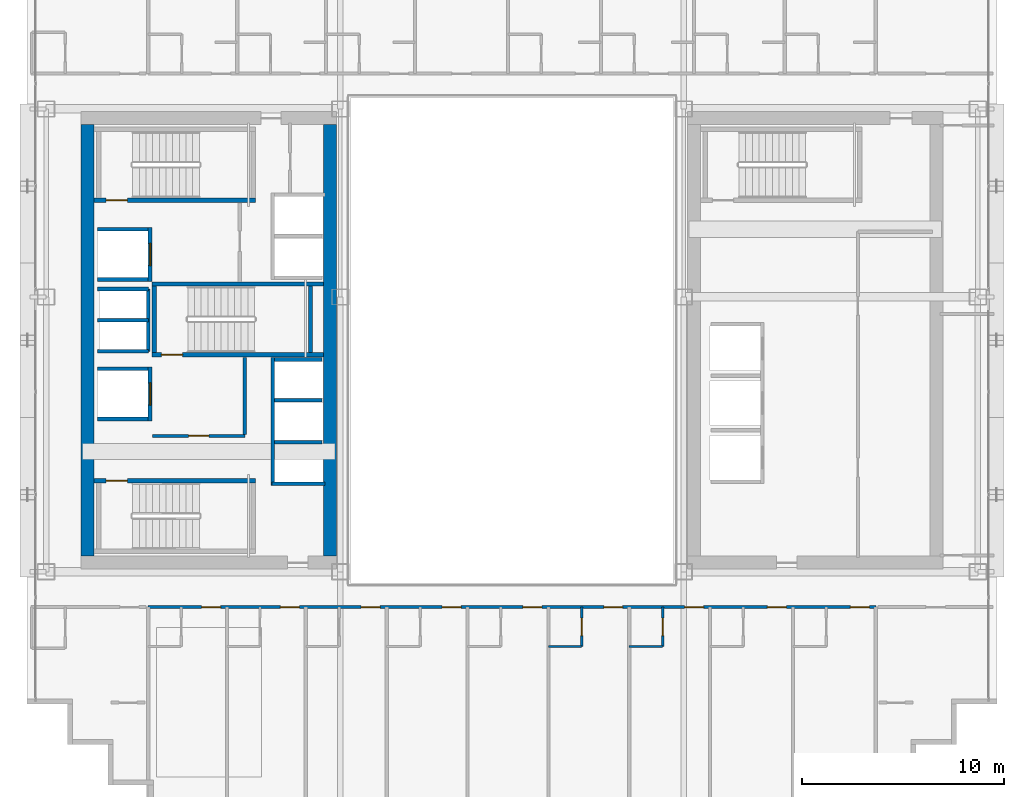
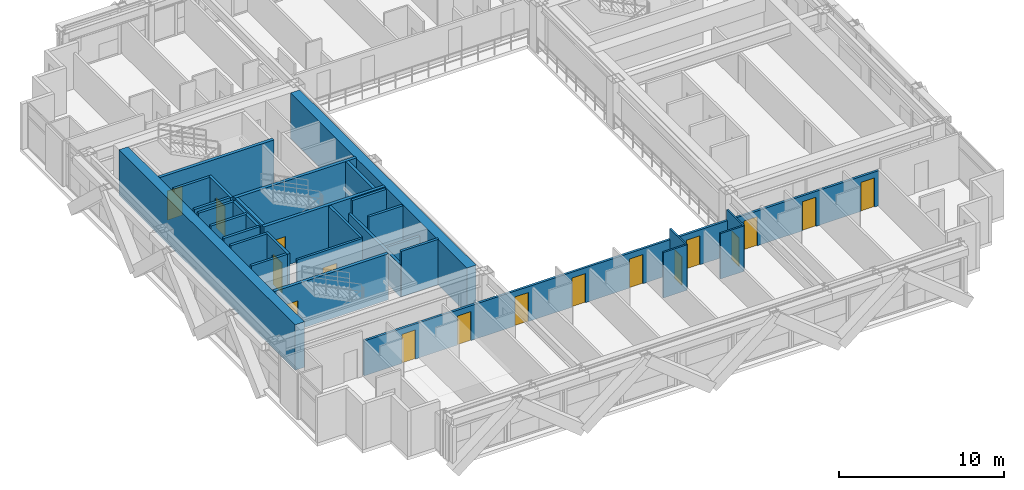
# One storey, part 28 of 36: 30 walls, 17 doors, 17 openings.
"""IFC4 building model written with IfcOpenShell, lengths in metres."""

from ifc_helpers import new_model, si_unit, direction, frame, frame_2d, origin, place, context, subcontext, project, spatial, rectangle, extrude, source, transform, mapped, material, layer, layer_set, type_object, element, fill, save


model = new_model("IFC4")

# Units and contexts
model_context = context("Model", 3, precision=1e-05, world=origin(), true_north=direction((0.0, 1.0)))
body_context = subcontext(model_context, "Body", "Model", "MODEL_VIEW")
ifc_project = project(units=[si_unit("LENGTHUNIT", "METRE"), si_unit("AREAUNIT", "SQUARE_METRE"), si_unit("VOLUMEUNIT", "CUBIC_METRE"), si_unit("PLANEANGLEUNIT", "RADIAN"), si_unit("MASSUNIT", "GRAM", prefix="KILO")], contexts=[model_context])

# Site, building, storey
site_placement = place(None, origin())
site = spatial("IfcSite", under=ifc_project, at=site_placement, CompositionType="ELEMENT")
building_placement = place(site_placement, origin())
building = spatial("IfcBuilding", under=site, at=building_placement, Name="Ocotamira Hotel", CompositionType="ELEMENT")
storey_placement = place(building_placement, frame((0.0, 0.0, 133.199951171875)))
storey = spatial("IfcBuildingStorey", under=building, at=storey_placement, Name="L33", CompositionType="ELEMENT", Elevation=133.199951171875)

# Walls
ifc_material_1 = material(Name="Concrete C60/75", Category="concrete")
ifc_layer_1 = layer(ifc_material_1, 0.64990234375)
ifc_layer_set_1 = layer_set([ifc_layer_1], Name="Concrete C60/75")
wall_type_1 = type_object("IfcWallType", Name="WL-CORE-650", PredefinedType="SHEAR", material=ifc_layer_set_1)
for number, where, z_axis, x_axis, name in (
    (1, (11.0, 15.324951171875, 0.0), (0.0, 0.0, 1.0), (0.0, 1.0, 0.0), "L33 Shear Core Wall WCORE-W"),
    (2, (23.0, 15.324951171875, 0.0), (0.0, 0.0, 1.0), (0.0, 1.0, 0.0), "L33 Shear Core Wall WCORE-E"),
):
    element("IfcWall", number, at=place(storey_placement, frame(where, z_axis=z_axis, x_axis=x_axis)), inside=storey, type_object=wall_type_1, Name=name, PredefinedType="SHEAR", context=body_context, shape_type="SweptSolid", body=[
        extrude(rectangle(XDim=21.35009765625, YDim=0.64990234375, at=frame_2d((10.675048828125, 0.0))), origin(), (0.0, 0.0, 1.0), 3.360107421875),
    ])

# Wall, opening, door
ifc_material_2 = material(Name="Acoustic double-layer fire gypsum board partition", Category="gypsum")
ifc_layer_2 = layer(ifc_material_2, 0.159912109375)
ifc_layer_set_2 = layer_set([ifc_layer_2], Name="Acoustic double-layer fire gypsum board partition")
wall_type_2 = type_object("IfcWallType", Name="WL-FIRE-160", PredefinedType="PARTITIONING", material=ifc_layer_set_2)
wall_1_placement = place(storey_placement, frame((14.199951171875, 21.27001953125, 0.0), z_axis=(0.0, 0.0, 1.0), x_axis=(1.0, 0.0, 0.0)))
wall_1 = element("IfcWall", 3, at=wall_1_placement, inside=storey, type_object=wall_type_2, Name="L33 Interior Wall PW-L33-FSAE1-S", PredefinedType="PARTITIONING", context=body_context, shape_type="SweptSolid", body=[
    extrude(rectangle(XDim=4.580078125, YDim=0.159912109375, at=frame_2d((2.2900390625, 0.0))), origin(), (0.0, 0.0, 1.0), 3.360107421875),
])
opening_1_placement = place(wall_1_placement, frame((1.800048828125, 0.0, 0.0)))
opening_1 = element("IfcOpeningElement", 4, at=opening_1_placement, cuts=wall_1, Name="Opening D-FR2", PredefinedType="OPENING", context=body_context, shape_type="SweptSolid", body=[
    extrude(rectangle(XDim=1.0, YDim=2.14990234375, at=frame_2d((0.5, 1.074951171875))), frame((0.0, 0.08984375, 0.0), z_axis=(0.0, -1.0, 0.0), x_axis=(1.0, 0.0, 0.0)), (0.0, 0.0, 1.0), 0.179931640625),
])
ifc_material_3 = material(Name="Fire-rated acoustic timber-veneer door", Category="wood")
door_type_1 = type_object("IfcDoorType", Name="DR-FIRE-1000", OperationType="NOTDEFINED", PredefinedType="DOOR", material=ifc_material_3)
shared_shape_1 = source(origin(), body_context, "Body", "SweptSolid", [
    extrude(rectangle(XDim=1.0, YDim=2.14990234375, at=frame_2d((0.5, 1.074951171875))), frame((0.0, 0.02490234375, 0.0), z_axis=(0.0, -1.0, 0.0), x_axis=(1.0, 0.0, 0.0)), (0.0, 0.0, 1.0), 0.050048828125),
])
door_1_placement = place(opening_1_placement, origin())
door_1 = element("IfcDoor", 5, at=door_1_placement, inside=storey, type_object=door_type_1, Name="L33 Door ID-L33-FSAE1-D [ID-L33-FSAE1-D]", OperationType="SINGLE_SWING_LEFT", OverallHeight=2.14990234375, OverallWidth=1.0, PredefinedType="DOOR", context=body_context, shape_type="MappedRepresentation", body=[
    mapped(shared_shape_1, transform((0.0, 0.0, 0.0), scale=1.0)),
])
fill(opening_1, door_1)

# Wall
wall_2_placement = place(storey_placement, frame((18.780029296875, 21.35009765625, 0.0), z_axis=(0.0, 0.0, 1.0), x_axis=(0.0, 1.0, 0.0)))
element("IfcWall", 6, at=wall_2_placement, inside=storey, type_object=wall_type_2, Name="L33 Interior Wall PW-L33-FSAE1-E", PredefinedType="PARTITIONING", context=body_context, shape_type="SweptSolid", body=[
    extrude(rectangle(XDim=3.809814453125, YDim=0.159912109375, at=frame_2d((1.90478515625, 0.0))), origin(), (0.0, 0.0, 1.0), 3.360107421875),
])

# Wall, openings, doors
wall_3_placement = place(storey_placement, frame((14.0, 12.800048828125, 0.0), z_axis=(0.0, 0.0, 1.0), x_axis=(1.0, 0.0, 0.0)))
wall_3 = element("IfcWall", 7, at=wall_3_placement, inside=storey, type_object=wall_type_2, Name="L33 Interior Wall PW-L33-Z2DS-CORRW", PredefinedType="PARTITIONING", context=body_context, shape_type="SweptSolid", body=[
    extrude(rectangle(XDim=36.0, YDim=0.159912109375, at=frame_2d((18.0, 0.0))), origin(), (0.0, 0.0, 1.0), 2.5810546875),
])
opening_2_placement = place(wall_3_placement, frame((2.639892578125, 0.0, 0.0)))
opening_2 = element("IfcOpeningElement", 8, at=opening_2_placement, cuts=wall_3, Name="Opening D-GR1", PredefinedType="OPENING", context=body_context, shape_type="SweptSolid", body=[
    extrude(rectangle(XDim=0.93994140625, YDim=2.14990234375, at=frame_2d((0.469970703125, 1.074951171875))), frame((0.0, 0.08984375, 0.0), z_axis=(0.0, -1.0, 0.0), x_axis=(1.0, 0.0, 0.0)), (0.0, 0.0, 1.0), 0.179931640625),
])
opening_3_placement = place(wall_3_placement, frame((6.5400390625, 0.0, 0.0)))
opening_3 = element("IfcOpeningElement", 9, at=opening_3_placement, cuts=wall_3, Name="Opening D-GR1", PredefinedType="OPENING", context=body_context, shape_type="SweptSolid", body=[
    extrude(rectangle(XDim=0.93994140625, YDim=2.14990234375, at=frame_2d((0.469970703125, 1.074951171875))), frame((0.0, 0.08984375, 0.0), z_axis=(0.0, -1.0, 0.0), x_axis=(1.0, 0.0, 0.0)), (0.0, 0.0, 1.0), 0.179931640625),
])
opening_4_placement = place(wall_3_placement, frame((10.5400390625, 0.0, 0.0)))
opening_4 = element("IfcOpeningElement", 10, at=opening_4_placement, cuts=wall_3, Name="Opening D-GR1", PredefinedType="OPENING", context=body_context, shape_type="SweptSolid", body=[
    extrude(rectangle(XDim=0.93994140625, YDim=2.14990234375, at=frame_2d((0.469970703125, 1.074951171875))), frame((0.0, 0.08984375, 0.0), z_axis=(0.0, -1.0, 0.0), x_axis=(1.0, 0.0, 0.0)), (0.0, 0.0, 1.0), 0.179931640625),
])
opening_5_placement = place(wall_3_placement, frame((14.5400390625, 0.0, 0.0)))
opening_5 = element("IfcOpeningElement", 11, at=opening_5_placement, cuts=wall_3, Name="Opening D-GR1", PredefinedType="OPENING", context=body_context, shape_type="SweptSolid", body=[
    extrude(rectangle(XDim=0.93994140625, YDim=2.14990234375, at=frame_2d((0.469970703125, 1.074951171875))), frame((0.0, 0.08984375, 0.0), z_axis=(0.0, -1.0, 0.0), x_axis=(1.0, 0.0, 0.0)), (0.0, 0.0, 1.0), 0.179931640625),
])
opening_6_placement = place(wall_3_placement, frame((18.5400390625, 0.0, 0.0)))
opening_6 = element("IfcOpeningElement", 12, at=opening_6_placement, cuts=wall_3, Name="Opening D-GR1", PredefinedType="OPENING", context=body_context, shape_type="SweptSolid", body=[
    extrude(rectangle(XDim=0.93994140625, YDim=2.14990234375, at=frame_2d((0.469970703125, 1.074951171875))), frame((0.0, 0.08984375, 0.0), z_axis=(0.0, -1.0, 0.0), x_axis=(1.0, 0.0, 0.0)), (0.0, 0.0, 1.0), 0.179931640625),
])
opening_7_placement = place(wall_3_placement, frame((22.5400390625, 0.0, 0.0)))
opening_7 = element("IfcOpeningElement", 13, at=opening_7_placement, cuts=wall_3, Name="Opening D-GR1", PredefinedType="OPENING", context=body_context, shape_type="SweptSolid", body=[
    extrude(rectangle(XDim=0.93994140625, YDim=2.14990234375, at=frame_2d((0.469970703125, 1.074951171875))), frame((0.0, 0.08984375, 0.0), z_axis=(0.0, -1.0, 0.0), x_axis=(1.0, 0.0, 0.0)), (0.0, 0.0, 1.0), 0.179931640625),
])
opening_8_placement = place(wall_3_placement, frame((26.5400390625, 0.0, 0.0)))
opening_8 = element("IfcOpeningElement", 14, at=opening_8_placement, cuts=wall_3, Name="Opening D-GR1", PredefinedType="OPENING", context=body_context, shape_type="SweptSolid", body=[
    extrude(rectangle(XDim=0.93994140625, YDim=2.14990234375, at=frame_2d((0.469970703125, 1.074951171875))), frame((0.0, 0.08984375, 0.0), z_axis=(0.0, -1.0, 0.0), x_axis=(1.0, 0.0, 0.0)), (0.0, 0.0, 1.0), 0.179931640625),
])
opening_9_placement = place(wall_3_placement, frame((30.639892578125, 0.0, 0.0)))
opening_9 = element("IfcOpeningElement", 15, at=opening_9_placement, cuts=wall_3, Name="Opening D-GR1", PredefinedType="OPENING", context=body_context, shape_type="SweptSolid", body=[
    extrude(rectangle(XDim=0.93994140625, YDim=2.14990234375, at=frame_2d((0.469970703125, 1.074951171875))), frame((0.0, 0.08984375, 0.0), z_axis=(0.0, -1.0, 0.0), x_axis=(1.0, 0.0, 0.0)), (0.0, 0.0, 1.0), 0.179931640625),
])
opening_10_placement = place(wall_3_placement, frame((34.739990234375, 0.0, 0.0)))
opening_10 = element("IfcOpeningElement", 16, at=opening_10_placement, cuts=wall_3, Name="Opening D-GR1", PredefinedType="OPENING", context=body_context, shape_type="SweptSolid", body=[
    extrude(rectangle(XDim=0.93994140625, YDim=2.14990234375, at=frame_2d((0.469970703125, 1.074951171875))), frame((0.0, 0.08984375, 0.0), z_axis=(0.0, -1.0, 0.0), x_axis=(1.0, 0.0, 0.0)), (0.0, 0.0, 1.0), 0.179931640625),
])
ifc_material_4 = material(Name="Solid-core walnut suite entrance fire door", Category="wood")
door_type_2 = type_object("IfcDoorType", Name="DR-GUEST-940", OperationType="NOTDEFINED", PredefinedType="DOOR", material=ifc_material_4)
shared_shape_2 = source(origin(), body_context, "Body", "SweptSolid", [
    extrude(rectangle(XDim=0.93994140625, YDim=2.14990234375, at=frame_2d((0.469970703125, 1.074951171875))), frame((0.0, 0.02490234375, 0.0), z_axis=(0.0, -1.0, 0.0), x_axis=(1.0, 0.0, 0.0)), (0.0, 0.0, 1.0), 0.050048828125),
])
door_2_placement = place(opening_2_placement, origin())
door_2 = element("IfcDoor", 17, at=door_2_placement, inside=storey, type_object=door_type_2, Name="L33 Door ID-L33-Z2DS-RMD1 [ID-L33-Z2DS-RMD1]", OperationType="SINGLE_SWING_LEFT", OverallHeight=2.14990234375, OverallWidth=0.93994140625, PredefinedType="DOOR", context=body_context, shape_type="MappedRepresentation", body=[
    mapped(shared_shape_2, transform((0.0, 0.0, 0.0), scale=1.0)),
])
fill(opening_2, door_2)
door_3_placement = place(opening_3_placement, origin())
door_3 = element("IfcDoor", 18, at=door_3_placement, inside=storey, type_object=door_type_2, Name="L33 Door ID-L33-Z2DS-RMD2 [ID-L33-Z2DS-RMD2]", OperationType="SINGLE_SWING_RIGHT", OverallHeight=2.14990234375, OverallWidth=0.93994140625, PredefinedType="DOOR", context=body_context, shape_type="MappedRepresentation", body=[
    mapped(shared_shape_2, transform((0.0, 0.0, 0.0), scale=1.0)),
])
fill(opening_3, door_3)
door_4_placement = place(opening_4_placement, origin())
door_4 = element("IfcDoor", 19, at=door_4_placement, inside=storey, type_object=door_type_2, Name="L33 Door ID-L33-Z2DS-RMD3 [ID-L33-Z2DS-RMD3]", OperationType="SINGLE_SWING_LEFT", OverallHeight=2.14990234375, OverallWidth=0.93994140625, PredefinedType="DOOR", context=body_context, shape_type="MappedRepresentation", body=[
    mapped(shared_shape_2, transform((0.0, 0.0, 0.0), scale=1.0)),
])
fill(opening_4, door_4)
door_5_placement = place(opening_5_placement, origin())
door_5 = element("IfcDoor", 20, at=door_5_placement, inside=storey, type_object=door_type_2, Name="L33 Door ID-L33-Z2DS-RMD4 [ID-L33-Z2DS-RMD4]", OperationType="SINGLE_SWING_RIGHT", OverallHeight=2.14990234375, OverallWidth=0.93994140625, PredefinedType="DOOR", context=body_context, shape_type="MappedRepresentation", body=[
    mapped(shared_shape_2, transform((0.0, 0.0, 0.0), scale=1.0)),
])
fill(opening_5, door_5)
door_6_placement = place(opening_6_placement, origin())
door_6 = element("IfcDoor", 21, at=door_6_placement, inside=storey, type_object=door_type_2, Name="L33 Door ID-L33-Z2DS-RMD5 [ID-L33-Z2DS-RMD5]", OperationType="SINGLE_SWING_LEFT", OverallHeight=2.14990234375, OverallWidth=0.93994140625, PredefinedType="DOOR", context=body_context, shape_type="MappedRepresentation", body=[
    mapped(shared_shape_2, transform((0.0, 0.0, 0.0), scale=1.0)),
])
fill(opening_6, door_6)
door_7_placement = place(opening_7_placement, origin())
door_7 = element("IfcDoor", 22, at=door_7_placement, inside=storey, type_object=door_type_2, Name="L33 Door ID-L33-Z2DS-RMD6 [ID-L33-Z2DS-RMD6]", OperationType="SINGLE_SWING_RIGHT", OverallHeight=2.14990234375, OverallWidth=0.93994140625, PredefinedType="DOOR", context=body_context, shape_type="MappedRepresentation", body=[
    mapped(shared_shape_2, transform((0.0, 0.0, 0.0), scale=1.0)),
])
fill(opening_7, door_7)
door_8_placement = place(opening_8_placement, origin())
door_8 = element("IfcDoor", 23, at=door_8_placement, inside=storey, type_object=door_type_2, Name="L33 Door ID-L33-Z2DS-RMD7 [ID-L33-Z2DS-RMD7]", OperationType="SINGLE_SWING_LEFT", OverallHeight=2.14990234375, OverallWidth=0.93994140625, PredefinedType="DOOR", context=body_context, shape_type="MappedRepresentation", body=[
    mapped(shared_shape_2, transform((0.0, 0.0, 0.0), scale=1.0)),
])
fill(opening_8, door_8)
door_9_placement = place(opening_9_placement, origin())
door_9 = element("IfcDoor", 24, at=door_9_placement, inside=storey, type_object=door_type_2, Name="L33 Door ID-L33-Z2DS-RMD8 [ID-L33-Z2DS-RMD8]", OperationType="SINGLE_SWING_RIGHT", OverallHeight=2.14990234375, OverallWidth=0.93994140625, PredefinedType="DOOR", context=body_context, shape_type="MappedRepresentation", body=[
    mapped(shared_shape_2, transform((0.0, 0.0, 0.0), scale=1.0)),
])
fill(opening_9, door_9)
door_10_placement = place(opening_10_placement, origin())
door_10 = element("IfcDoor", 25, at=door_10_placement, inside=storey, type_object=door_type_2, Name="L33 Door ID-L33-Z2DS-RMD9 [ID-L33-Z2DS-RMD9]", OperationType="SINGLE_SWING_LEFT", OverallHeight=2.14990234375, OverallWidth=0.93994140625, PredefinedType="DOOR", context=body_context, shape_type="MappedRepresentation", body=[
    mapped(shared_shape_2, transform((0.0, 0.0, 0.0), scale=1.0)),
])
fill(opening_10, door_10)

# Wall, opening, door
ifc_material_5 = material(Name="Moisture-resistant en-suite tile and gypsum partition", Category="gypsum")
ifc_layer_3 = layer(ifc_material_5, 0.1201171875)
ifc_layer_set_3 = layer_set([ifc_layer_3], Name="Moisture-resistant en-suite tile and gypsum partition")
wall_type_3 = type_object("IfcWallType", Name="WL-PART-120", PredefinedType="PARTITIONING", material=ifc_layer_set_3)
wall_4_placement = place(storey_placement, frame((35.449951171875, 10.85009765625, 0.0), z_axis=(0.0, 0.0, 1.0), x_axis=(0.0, 1.0, 0.0)))
wall_4 = element("IfcWall", 26, at=wall_4_placement, inside=storey, type_object=wall_type_3, Name="L33 Interior Wall PW-L33-Z2DS-BAE6", PredefinedType="PARTITIONING", context=body_context, shape_type="SweptSolid", body=[
    extrude(rectangle(XDim=1.949951171875, YDim=0.1201171875, at=frame_2d((0.97509765625, 0.0))), origin(), (0.0, 0.0, 1.0), 3.360107421875),
])
opening_11_placement = place(wall_4_placement, frame((0.544921875, 0.0, 0.0)))
opening_11 = element("IfcOpeningElement", 27, at=opening_11_placement, cuts=wall_4, Name="Opening D-BA1", PredefinedType="OPENING", context=body_context, shape_type="SweptSolid", body=[
    extrude(rectangle(XDim=0.860107421875, YDim=2.10009765625, at=frame_2d((0.43017578125, 1.050048828125))), frame((0.0, 0.070068359375, 0.0), z_axis=(0.0, -1.0, 0.0), x_axis=(1.0, 0.0, 0.0)), (0.0, 0.0, 1.0), 0.14013671875),
])
ifc_material_6 = material(Name="Moisture-sealed en-suite timber door", Category="wood")
door_type_3 = type_object("IfcDoorType", Name="DR-BATH-860", OperationType="NOTDEFINED", PredefinedType="DOOR", material=ifc_material_6)
shared_shape_3 = source(origin(), body_context, "Body", "SweptSolid", [
    extrude(rectangle(XDim=0.860107421875, YDim=2.10009765625, at=frame_2d((0.43017578125, 1.050048828125))), frame((0.0, 0.02490234375, 0.0), z_axis=(0.0, -1.0, 0.0), x_axis=(1.0, 0.0, 0.0)), (0.0, 0.0, 1.0), 0.050048828125),
])
door_11_placement = place(opening_11_placement, origin())
door_11 = element("IfcDoor", 28, at=door_11_placement, inside=storey, type_object=door_type_3, Name="L33 Door ID-L33-Z2DS-BAD6 [ID-L33-Z2DS-BAD6]", OperationType="SINGLE_SWING_LEFT", OverallHeight=2.10009765625, OverallWidth=0.860107421875, PredefinedType="DOOR", context=body_context, shape_type="MappedRepresentation", body=[
    mapped(shared_shape_3, transform((0.0, 0.0, 0.0), scale=1.0)),
])
fill(opening_11, door_11)

# Wall
wall_5_placement = place(storey_placement, frame((33.800048828125, 10.85009765625, 0.0), z_axis=(0.0, 0.0, 1.0), x_axis=(1.0, 0.0, 0.0)))
element("IfcWall", 29, at=wall_5_placement, inside=storey, type_object=wall_type_3, Name="L33 Interior Wall PW-L33-Z2DS-BAS6", PredefinedType="PARTITIONING", context=body_context, shape_type="SweptSolid", body=[
    extrude(rectangle(XDim=1.64990234375, YDim=0.1201171875, at=frame_2d((0.824951171875, 0.0))), origin(), (0.0, 0.0, 1.0), 3.360107421875),
])

# Wall, opening, door
wall_6_placement = place(storey_placement, frame((39.449951171875, 10.85009765625, 0.0), z_axis=(0.0, 0.0, 1.0), x_axis=(0.0, 1.0, 0.0)))
wall_6 = element("IfcWall", 30, at=wall_6_placement, inside=storey, type_object=wall_type_3, Name="L33 Interior Wall PW-L33-Z2DS-BAE7", PredefinedType="PARTITIONING", context=body_context, shape_type="SweptSolid", body=[
    extrude(rectangle(XDim=1.949951171875, YDim=0.1201171875, at=frame_2d((0.97509765625, 0.0))), origin(), (0.0, 0.0, 1.0), 3.360107421875),
])
opening_12_placement = place(wall_6_placement, frame((0.544921875, 0.0, 0.0)))
opening_12 = element("IfcOpeningElement", 31, at=opening_12_placement, cuts=wall_6, Name="Opening D-BA1", PredefinedType="OPENING", context=body_context, shape_type="SweptSolid", body=[
    extrude(rectangle(XDim=0.860107421875, YDim=2.10009765625, at=frame_2d((0.43017578125, 1.050048828125))), frame((0.0, 0.070068359375, 0.0), z_axis=(0.0, -1.0, 0.0), x_axis=(1.0, 0.0, 0.0)), (0.0, 0.0, 1.0), 0.14013671875),
])
door_12_placement = place(opening_12_placement, origin())
door_12 = element("IfcDoor", 32, at=door_12_placement, inside=storey, type_object=door_type_3, Name="L33 Door ID-L33-Z2DS-BAD7 [ID-L33-Z2DS-BAD7]", OperationType="SINGLE_SWING_RIGHT", OverallHeight=2.10009765625, OverallWidth=0.860107421875, PredefinedType="DOOR", context=body_context, shape_type="MappedRepresentation", body=[
    mapped(shared_shape_3, transform((0.0, 0.0, 0.0), scale=1.0)),
])
fill(opening_12, door_12)

# Walls
wall_7_placement = place(storey_placement, frame((37.800048828125, 10.85009765625, 0.0), z_axis=(0.0, 0.0, 1.0), x_axis=(1.0, 0.0, 0.0)))
element("IfcWall", 33, at=wall_7_placement, inside=storey, type_object=wall_type_3, Name="L33 Interior Wall PW-L33-Z2DS-BAS7", PredefinedType="PARTITIONING", context=body_context, shape_type="SweptSolid", body=[
    extrude(rectangle(XDim=1.64990234375, YDim=0.1201171875, at=frame_2d((0.824951171875, 0.0))), origin(), (0.0, 0.0, 1.0), 3.360107421875),
])
ifc_material_7 = material(Name="Fire-rated gypsum shaftliner board assembly", Category="gypsum")
ifc_layer_4 = layer(ifc_material_7, 0.179931640625)
ifc_layer_set_4 = layer_set([ifc_layer_4], Name="Fire-rated gypsum shaftliner board assembly")
wall_type_4 = type_object("IfcWallType", Name="WL-SHAFT-180", PredefinedType="SOLIDWALL", material=ifc_layer_set_4)
wall_8_placement = place(storey_placement, frame((20.159912109375, 18.820068359375, 0.0), z_axis=(0.0, 0.0, 1.0), x_axis=(0.0, 1.0, 0.0)))
element("IfcWall", 34, at=wall_8_placement, inside=storey, type_object=wall_type_4, Name="L33 Interior Wall PW-L33-LFW-BANK-high-F", PredefinedType="SOLIDWALL", context=body_context, shape_type="SweptSolid", body=[
    extrude(rectangle(XDim=6.31982421875, YDim=0.179931640625, at=frame_2d((3.159912109375, 0.0))), origin(), (0.0, 0.0, 1.0), 2.360107421875),
])
wall_9_placement = place(storey_placement, frame((20.1201171875, 18.909912109375, 0.0), z_axis=(0.0, 0.0, 1.0), x_axis=(1.0, 0.0, 0.0)))
element("IfcWall", 35, at=wall_9_placement, inside=storey, type_object=wall_type_4, Name="L33 Interior Wall PW-L33-LFW-BANK-high-S", PredefinedType="SOLIDWALL", context=body_context, shape_type="SweptSolid", body=[
    extrude(rectangle(XDim=2.6298828125, YDim=0.179931640625, at=frame_2d((1.31494140625, 0.0))), origin(), (0.0, 0.0, 1.0), 3.360107421875),
])
wall_10_placement = place(storey_placement, frame((20.25, 25.050048828125, 0.0), z_axis=(0.0, 0.0, 1.0), x_axis=(1.0, 0.0, 0.0)))
element("IfcWall", 36, at=wall_10_placement, inside=storey, type_object=wall_type_4, Name="L33 Interior Wall PW-L33-LFW-BANK-high-N", PredefinedType="SOLIDWALL", context=body_context, shape_type="SweptSolid", body=[
    extrude(rectangle(XDim=2.360107421875, YDim=0.179931640625, at=frame_2d((1.18017578125, 0.0))), origin(), (0.0, 0.0, 1.0), 3.360107421875),
])
wall_11_placement = place(storey_placement, frame((20.25, 20.965087890625, 0.0), z_axis=(0.0, 0.0, 1.0), x_axis=(1.0, 0.0, 0.0)))
element("IfcWall", 37, at=wall_11_placement, inside=storey, type_object=wall_type_4, Name="L33 Interior Wall PW-L33-LFW-DIV-LF-P7", PredefinedType="SOLIDWALL", context=body_context, shape_type="SweptSolid", body=[
    extrude(rectangle(XDim=2.360107421875, YDim=0.179931640625, at=frame_2d((1.18017578125, 0.0))), origin(), (0.0, 0.0, 1.0), 2.360107421875),
])
wall_12_placement = place(storey_placement, frame((20.25, 23.044921875, 0.0), z_axis=(0.0, 0.0, 1.0), x_axis=(1.0, 0.0, 0.0)))
element("IfcWall", 38, at=wall_12_placement, inside=storey, type_object=wall_type_4, Name="L33 Interior Wall PW-L33-LFW-DIV-LF-P8", PredefinedType="SOLIDWALL", context=body_context, shape_type="SweptSolid", body=[
    extrude(rectangle(XDim=2.360107421875, YDim=0.179931640625, at=frame_2d((1.18017578125, 0.0))), origin(), (0.0, 0.0, 1.0), 3.360107421875),
])
for number, where, z_axis, x_axis, name in (
    (39, (11.5, 22.110107421875, 0.0), (0.0, 0.0, 1.0), (1.0, 0.0, 0.0), "L33 Interior Wall PW-L33-LFW-LF-FSAE1-S"),
    (40, (11.5, 24.590087890625, 0.0), (0.0, 0.0, 1.0), (1.0, 0.0, 0.0), "L33 Interior Wall PW-L33-LFW-LF-FSAE1-N"),
):
    element("IfcWall", number, at=place(storey_placement, frame(where, z_axis=z_axis, x_axis=x_axis)), inside=storey, type_object=wall_type_4, Name=name, PredefinedType="SOLIDWALL", context=body_context, shape_type="SweptSolid", body=[
        extrude(rectangle(XDim=2.5, YDim=0.179931640625, at=frame_2d((1.25, 0.0))), origin(), (0.0, 0.0, 1.0), 3.360107421875),
    ])

# Wall, opening, door
wall_13_placement = place(storey_placement, frame((14.090087890625, 22.02001953125, 0.0), z_axis=(0.0, 0.0, 1.0), x_axis=(0.0, 1.0, 0.0)))
wall_13 = element("IfcWall", 41, at=wall_13_placement, inside=storey, type_object=wall_type_4, Name="L33 Interior Wall PW-L33-LFW-LF-FSAE1-E", PredefinedType="SOLIDWALL", context=body_context, shape_type="SweptSolid", body=[
    extrude(rectangle(XDim=2.659912109375, YDim=0.179931640625, at=frame_2d((1.330078125, 0.0))), origin(), (0.0, 0.0, 1.0), 3.360107421875),
])
opening_13_placement = place(wall_13_placement, frame((0.780029296875, 0.0, 0.0)))
opening_13 = element("IfcOpeningElement", 42, at=opening_13_placement, cuts=wall_13, Name="Opening LD-LF-FSAE1", PredefinedType="OPENING", context=body_context, shape_type="SweptSolid", body=[
    extrude(rectangle(XDim=1.10009765625, YDim=2.199951171875, at=frame_2d((0.550048828125, 1.10009765625))), frame((0.0, 0.10009765625, 0.0), z_axis=(0.0, -1.0, 0.0), x_axis=(1.0, 0.0, 0.0)), (0.0, 0.0, 1.0), 0.199951171875),
])
ifc_material_8 = material(Name="Brushed pale-metal stainless elevator landing door", Category="steel")
door_type_4 = type_object("IfcDoorType", Name="DR-LIFT-1100", OperationType="NOTDEFINED", PredefinedType="DOOR", material=ifc_material_8)
shared_shape_4 = source(origin(), body_context, "Body", "SweptSolid", [
    extrude(rectangle(XDim=1.10009765625, YDim=2.199951171875, at=frame_2d((0.550048828125, 1.10009765625))), frame((0.0, 0.02490234375, 0.0), z_axis=(0.0, -1.0, 0.0), x_axis=(1.0, 0.0, 0.0)), (0.0, 0.0, 1.0), 0.050048828125),
])
door_13_placement = place(opening_13_placement, origin())
door_13 = element("IfcDoor", 43, at=door_13_placement, inside=storey, type_object=door_type_4, Name="L33 Landing Door LD-LF-FSAE1 [ID-L33-LD-LF-FSAE1]", OperationType="DOUBLE_DOOR_SLIDING", OverallHeight=2.199951171875, OverallWidth=1.10009765625, PredefinedType="DOOR", context=body_context, shape_type="MappedRepresentation", body=[
    mapped(shared_shape_4, transform((0.0, 0.0, 0.0), scale=1.0)),
])
fill(opening_13, door_13)

# Walls
for number, where, z_axis, x_axis, name in (
    (44, (11.5, 29.010009765625, 0.0), (0.0, 0.0, 1.0), (1.0, 0.0, 0.0), "L33 Interior Wall PW-L33-LFW-LF-FSAE2-S"),
    (45, (11.5, 31.489990234375, 0.0), (0.0, 0.0, 1.0), (1.0, 0.0, 0.0), "L33 Interior Wall PW-L33-LFW-LF-FSAE2-N"),
):
    element("IfcWall", number, at=place(storey_placement, frame(where, z_axis=z_axis, x_axis=x_axis)), inside=storey, type_object=wall_type_4, Name=name, PredefinedType="SOLIDWALL", context=body_context, shape_type="SweptSolid", body=[
        extrude(rectangle(XDim=2.5, YDim=0.179931640625, at=frame_2d((1.25, 0.0))), origin(), (0.0, 0.0, 1.0), 3.360107421875),
    ])

# Wall, opening, door
wall_14_placement = place(storey_placement, frame((14.090087890625, 28.919921875, 0.0), z_axis=(0.0, 0.0, 1.0), x_axis=(0.0, 1.0, 0.0)))
wall_14 = element("IfcWall", 46, at=wall_14_placement, inside=storey, type_object=wall_type_4, Name="L33 Interior Wall PW-L33-LFW-LF-FSAE2-E", PredefinedType="SOLIDWALL", context=body_context, shape_type="SweptSolid", body=[
    extrude(rectangle(XDim=2.66015625, YDim=0.179931640625, at=frame_2d((1.330078125, 0.0))), origin(), (0.0, 0.0, 1.0), 3.360107421875),
])
opening_14_placement = place(wall_14_placement, frame((0.780029296875, 0.0, 0.0)))
opening_14 = element("IfcOpeningElement", 47, at=opening_14_placement, cuts=wall_14, Name="Opening LD-LF-FSAE2", PredefinedType="OPENING", context=body_context, shape_type="SweptSolid", body=[
    extrude(rectangle(XDim=1.10009765625, YDim=2.199951171875, at=frame_2d((0.550048828125, 1.10009765625))), frame((0.0, 0.10009765625, 0.0), z_axis=(0.0, -1.0, 0.0), x_axis=(1.0, 0.0, 0.0)), (0.0, 0.0, 1.0), 0.199951171875),
])
door_14_placement = place(opening_14_placement, origin())
door_14 = element("IfcDoor", 48, at=door_14_placement, inside=storey, type_object=door_type_4, Name="L33 Landing Door LD-LF-FSAE2 [ID-L33-LD-LF-FSAE2]", OperationType="DOUBLE_DOOR_SLIDING", OverallHeight=2.199951171875, OverallWidth=1.10009765625, PredefinedType="DOOR", context=body_context, shape_type="MappedRepresentation", body=[
    mapped(shared_shape_4, transform((0.0, 0.0, 0.0), scale=1.0)),
])
fill(opening_14, door_14)

# Walls
for number, where, z_axis, x_axis, name in (
    (49, (11.5, 25.4599609375, 0.0), (0.0, 0.0, 1.0), (1.0, 0.0, 0.0), "L33 Interior Wall PW-L33-RSW-S"),
    (50, (11.5, 27.0, 0.0), (0.0, 0.0, 1.0), (1.0, 0.0, 0.0), "L33 Interior Wall PW-L33-RSW-MID"),
    (51, (11.5, 28.5400390625, 0.0), (0.0, 0.0, 1.0), (1.0, 0.0, 0.0), "L33 Interior Wall PW-L33-RSW-N"),
):
    element("IfcWall", number, at=place(storey_placement, frame(where, z_axis=z_axis, x_axis=x_axis)), inside=storey, type_object=wall_type_4, Name=name, PredefinedType="SOLIDWALL", context=body_context, shape_type="SweptSolid", body=[
        extrude(rectangle(XDim=2.510009765625, YDim=0.179931640625, at=frame_2d((1.2548828125, 0.0))), origin(), (0.0, 0.0, 1.0), 3.360107421875),
    ])
wall_15_placement = place(storey_placement, frame((14.010009765625, 25.4599609375, 0.0), z_axis=(0.0, 0.0, 1.0), x_axis=(0.0, 1.0, 0.0)))
element("IfcWall", 52, at=wall_15_placement, inside=storey, type_object=wall_type_4, Name="L33 Interior Wall PW-L33-RSW-E", PredefinedType="SOLIDWALL", context=body_context, shape_type="SweptSolid", body=[
    extrude(rectangle(XDim=3.080078125, YDim=0.179931640625, at=frame_2d((1.5400390625, 0.0))), origin(), (0.0, 0.0, 1.0), 3.360107421875),
])

# Wall, opening, door
ifc_material_9 = material(Name="Concrete C50/60", Category="concrete")
ifc_layer_5 = layer(ifc_material_9, 0.219970703125)
ifc_layer_set_5 = layer_set([ifc_layer_5], Name="Concrete C50/60")
wall_type_5 = type_object("IfcWallType", Name="WL-STAIR-220", PredefinedType="SHEAR", material=ifc_layer_set_5)
wall_16_placement = place(storey_placement, frame((11.324951171875, 19.06005859375, 0.0), z_axis=(0.0, 0.0, 1.0), x_axis=(1.0, 0.0, 0.0)))
wall_16 = element("IfcWall", 53, at=wall_16_placement, inside=storey, type_object=wall_type_5, Name="L33 Stair Shaft Structural Wall ST-1-N", PredefinedType="SHEAR", context=body_context, shape_type="SweptSolid", body=[
    extrude(rectangle(XDim=7.985107421875, YDim=0.219970703125, at=frame_2d((3.99267578125, 0.0))), origin(), (0.0, 0.0, 1.0), 3.400146484375),
])
opening_15_placement = place(wall_16_placement, frame((0.594970703125, 0.0, 0.0)))
opening_15 = element("IfcOpeningElement", 54, at=opening_15_placement, cuts=wall_16, Name="Opening D-ST2", PredefinedType="OPENING", context=body_context, shape_type="SweptSolid", body=[
    extrude(rectangle(XDim=1.050048828125, YDim=2.14990234375, at=frame_2d((0.52490234375, 1.074951171875))), frame((0.0, 0.1201171875, 0.0), z_axis=(0.0, -1.0, 0.0), x_axis=(1.0, 0.0, 0.0)), (0.0, 0.0, 1.0), 0.239990234375),
])
ifc_material_10 = material(Name="Insulated painted hollow-metal fire exit door", Category="steel")
door_type_5 = type_object("IfcDoorType", Name="DR-STAIR-1050", OperationType="NOTDEFINED", PredefinedType="DOOR", material=ifc_material_10)
shared_shape_5 = source(origin(), body_context, "Body", "SweptSolid", [
    extrude(rectangle(XDim=1.050048828125, YDim=2.14990234375, at=frame_2d((0.52490234375, 1.074951171875))), frame((0.0, 0.02490234375, 0.0), z_axis=(0.0, -1.0, 0.0), x_axis=(1.0, 0.0, 0.0)), (0.0, 0.0, 1.0), 0.050048828125),
])
door_15_placement = place(opening_15_placement, origin())
door_15 = element("IfcDoor", 55, at=door_15_placement, inside=storey, type_object=door_type_5, Name="L33 Door ID-L33-STD-ST-1 [ID-L33-STD-ST-1]", OperationType="SINGLE_SWING_RIGHT", OverallHeight=2.14990234375, OverallWidth=1.050048828125, PredefinedType="DOOR", context=body_context, shape_type="MappedRepresentation", body=[
    mapped(shared_shape_5, transform((0.0, 0.0, 0.0), scale=1.0)),
])
fill(opening_15, door_15)

wall_17_placement = place(storey_placement, frame((11.324951171875, 32.93994140625, 0.0), z_axis=(0.0, 0.0, 1.0), x_axis=(1.0, 0.0, 0.0)))
wall_17 = element("IfcWall", 56, at=wall_17_placement, inside=storey, type_object=wall_type_5, Name="L33 Stair Shaft Structural Wall ST-2-S", PredefinedType="SHEAR", context=body_context, shape_type="SweptSolid", body=[
    extrude(rectangle(XDim=7.985107421875, YDim=0.219970703125, at=frame_2d((3.99267578125, 0.0))), origin(), (0.0, 0.0, 1.0), 3.400146484375),
])
opening_16_placement = place(wall_17_placement, frame((0.594970703125, 0.0, 0.0)))
opening_16 = element("IfcOpeningElement", 57, at=opening_16_placement, cuts=wall_17, Name="Opening D-ST2", PredefinedType="OPENING", context=body_context, shape_type="SweptSolid", body=[
    extrude(rectangle(XDim=1.050048828125, YDim=2.14990234375, at=frame_2d((0.52490234375, 1.074951171875))), frame((0.0, 0.1201171875, 0.0), z_axis=(0.0, -1.0, 0.0), x_axis=(1.0, 0.0, 0.0)), (0.0, 0.0, 1.0), 0.239990234375),
])
door_16_placement = place(opening_16_placement, origin())
door_16 = element("IfcDoor", 58, at=door_16_placement, inside=storey, type_object=door_type_5, Name="L33 Door ID-L33-STD-ST-2 [ID-L33-STD-ST-2]", OperationType="SINGLE_SWING_LEFT", OverallHeight=2.14990234375, OverallWidth=1.050048828125, PredefinedType="DOOR", context=body_context, shape_type="MappedRepresentation", body=[
    mapped(shared_shape_5, transform((0.0, 0.0, 0.0), scale=1.0)),
])
fill(opening_16, door_16)

wall_18_placement = place(storey_placement, frame((14.179931640625, 25.2900390625, 0.0), z_axis=(0.0, 0.0, 1.0), x_axis=(1.0, 0.0, 0.0)))
wall_18 = element("IfcWall", 59, at=wall_18_placement, inside=storey, type_object=wall_type_5, Name="L33 Stair Shaft Structural Wall ST-3-S", PredefinedType="SHEAR", context=body_context, shape_type="SweptSolid", body=[
    extrude(rectangle(XDim=8.4951171875, YDim=0.219970703125, at=frame_2d((4.24755859375, 0.0))), origin(), (0.0, 0.0, 1.0), 3.400146484375),
])
opening_17_placement = place(wall_18_placement, frame((0.469970703125, 0.0, 0.0)))
opening_17 = element("IfcOpeningElement", 60, at=opening_17_placement, cuts=wall_18, Name="Opening D-ST2", PredefinedType="OPENING", context=body_context, shape_type="SweptSolid", body=[
    extrude(rectangle(XDim=1.050048828125, YDim=2.14990234375, at=frame_2d((0.52490234375, 1.074951171875))), frame((0.0, 0.1201171875, 0.0), z_axis=(0.0, -1.0, 0.0), x_axis=(1.0, 0.0, 0.0)), (0.0, 0.0, 1.0), 0.239990234375),
])
door_17_placement = place(opening_17_placement, origin())
door_17 = element("IfcDoor", 61, at=door_17_placement, inside=storey, type_object=door_type_5, Name="L33 Door ID-L33-STD-ST-3 [ID-L33-STD-ST-3]", OperationType="SINGLE_SWING_RIGHT", OverallHeight=2.14990234375, OverallWidth=1.050048828125, PredefinedType="DOOR", context=body_context, shape_type="MappedRepresentation", body=[
    mapped(shared_shape_5, transform((0.0, 0.0, 0.0), scale=1.0)),
])
fill(opening_17, door_17)

# Walls
wall_19_placement = place(storey_placement, frame((14.179931640625, 28.7900390625, 0.0), z_axis=(0.0, 0.0, 1.0), x_axis=(1.0, 0.0, 0.0)))
element("IfcWall", 62, at=wall_19_placement, inside=storey, type_object=wall_type_5, Name="L33 Stair Shaft Structural Wall ST-3-N", PredefinedType="SHEAR", context=body_context, shape_type="SweptSolid", body=[
    extrude(rectangle(XDim=8.4951171875, YDim=0.219970703125, at=frame_2d((4.24755859375, 0.0))), origin(), (0.0, 0.0, 1.0), 3.400146484375),
])
for number, where, z_axis, x_axis, name in (
    (63, (14.2900390625, 25.39990234375, 0.0), (0.0, 0.0, 1.0), (0.0, 1.0, 0.0), "L33 Stair Shaft Structural Wall ST-3-W"),
    (64, (22.030029296875, 25.39990234375, 0.0), (0.0, 0.0, 1.0), (0.0, 1.0, 0.0), "L33 Stair Shaft Structural Wall ST-3-E"),
):
    element("IfcWall", number, at=place(storey_placement, frame(where, z_axis=z_axis, x_axis=x_axis)), inside=storey, type_object=wall_type_5, Name=name, PredefinedType="SHEAR", context=body_context, shape_type="SweptSolid", body=[
        extrude(rectangle(XDim=3.280029296875, YDim=0.219970703125, at=frame_2d((1.64013671875, 0.0))), origin(), (0.0, 0.0, 1.0), 3.400146484375),
    ])

save(model, "model.ifc")
